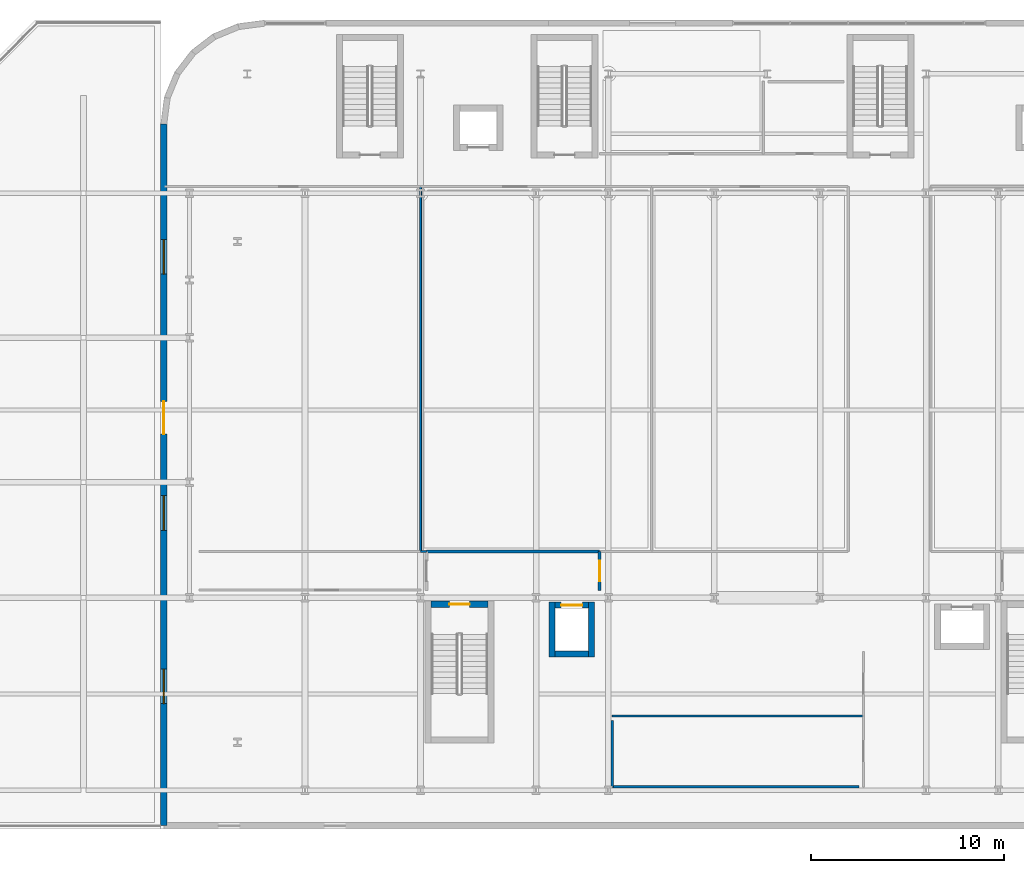
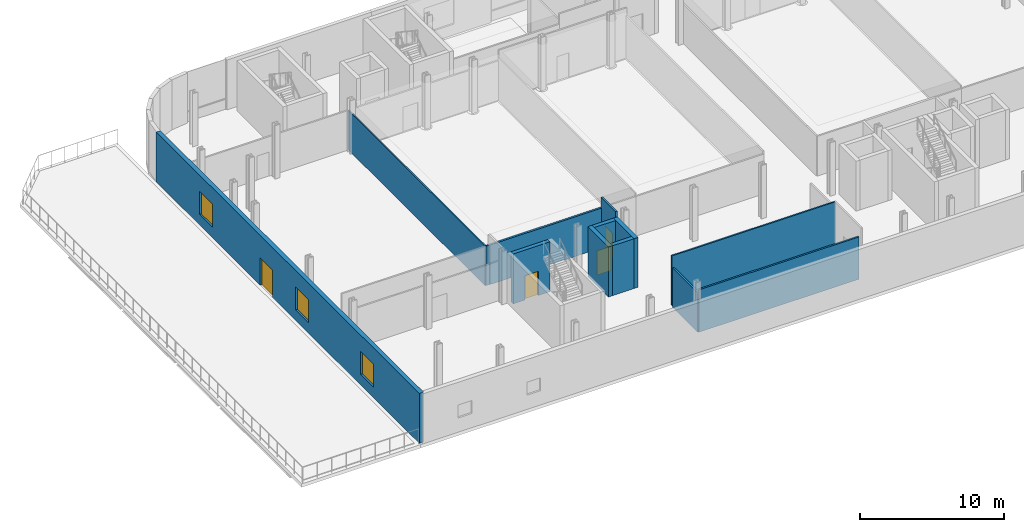
# One storey, part 15 of 26: 13 walls, 4 doors, 3 windows, 7 openings.
"""IFC4 building model written with IfcOpenShell, lengths in metres."""

from ifc_helpers import new_model, si_unit, direction, frame, frame_2d, origin, place, context, subcontext, project, spatial, rectangle, extrude, material, layer, layer_set, type_object, element, fill, save


model = new_model("IFC4")

# Units and contexts
model_context = context("Model", 3, precision=1e-05, world=origin(), true_north=direction((0.0, 1.0)))
body_context = subcontext(model_context, "Body", "Model", "MODEL_VIEW")
ifc_project = project(units=[si_unit("LENGTHUNIT", "METRE"), si_unit("AREAUNIT", "SQUARE_METRE"), si_unit("VOLUMEUNIT", "CUBIC_METRE"), si_unit("PLANEANGLEUNIT", "RADIAN"), si_unit("MASSUNIT", "GRAM", prefix="KILO")], contexts=[model_context])

# Site, building, storey
site_placement = place(None, origin())
site = spatial("IfcSite", under=ifc_project, at=site_placement, CompositionType="ELEMENT")
building_placement = place(site_placement, origin())
building = spatial("IfcBuilding", under=site, at=building_placement, Name="Brevholm Reach", CompositionType="ELEMENT")
storey_placement = place(building_placement, frame((0.0, 0.0, 18.0)))
storey = spatial("IfcBuildingStorey", under=building, at=storey_placement, Name="L04", CompositionType="ELEMENT", Elevation=18.0)

# Wall, opening, door
ifc_material_1 = material(Name="Concrete C60/75", Category="concrete")
ifc_layer_1 = layer(ifc_material_1, 0.320068359375)
ifc_layer_set_1 = layer_set([ifc_layer_1], Name="Concrete C60/75")
wall_type_1 = type_object("IfcWallType", Name="WAL-COR-320", PredefinedType="SHEAR", material=ifc_layer_set_1)
wall_1_placement = place(storey_placement, frame((15.5, 9.659912109375, 0.0), z_axis=(0.0, 0.0, 1.0), x_axis=(-1.0, 0.0, 0.0)))
wall_1 = element("IfcWall", 1, at=wall_1_placement, inside=storey, type_object=wall_type_1, Name="L04 Escape Stair ST-1 Core Wall N", PredefinedType="SHEAR", context=body_context, shape_type="SweptSolid", body=[
    extrude(rectangle(XDim=2.949951171875, YDim=0.320068359375, at=frame_2d((1.47509765625, 0.0))), origin(), (0.0, 0.0, 1.0), 4.219970703125),
])
opening_1_placement = place(wall_1_placement, frame((0.949951171875, 0.0, 0.0)))
opening_1 = element("IfcOpeningElement", 2, at=opening_1_placement, cuts=wall_1, Name="Opening SD-ST-1", PredefinedType="OPENING", context=body_context, shape_type="SweptSolid", body=[
    extrude(rectangle(XDim=1.050048828125, YDim=2.06005859375, at=frame_2d((0.52490234375, 1.030029296875))), frame((0.0, 0.169921875, 0.0), z_axis=(0.0, -1.0, 0.0), x_axis=(1.0, 0.0, 0.0)), (0.0, 0.0, 1.0), 0.340087890625),
])
ifc_material_2 = material(Name="Hardwood-Lipped Steel-Core Fire and Smoke Door", Category="steel")
door_type_1 = type_object("IfcDoorType", Name="DOR-INT-FD60S", OperationType="NOTDEFINED", PredefinedType="DOOR", material=ifc_material_2)
door_1_placement = place(opening_1_placement, origin())
door_1 = element("IfcDoor", 3, at=door_1_placement, inside=storey, type_object=door_type_1, Name="L04 Protected Stair ST-1 Lobby Door", OperationType="SINGLE_SWING_RIGHT", OverallHeight=2.06005859375, OverallWidth=1.050048828125, PredefinedType="DOOR", context=body_context, shape_type="SweptSolid", body=[
    extrude(rectangle(XDim=1.050048828125, YDim=2.06005859375, at=frame_2d((0.52490234375, 1.030029296875))), frame((0.0, 0.02490234375, 0.0), z_axis=(0.0, -1.0, 0.0), x_axis=(1.0, 0.0, 0.0)), (0.0, 0.0, 1.0), 0.050048828125),
])
fill(opening_1, door_1)

# Walls
for number, where, z_axis, x_axis, name in (
    (4, (18.830078125, 6.919921875, 0.0), (0.0, 0.0, 1.0), (0.0, 1.0, 0.0), "L04 Lift FFL-1 Shaft Wall W"),
    (5, (20.8701171875, 6.919921875, 0.0), (0.0, 0.0, 1.0), (0.0, 1.0, 0.0), "L04 Lift FFL-1 Shaft Wall E"),
):
    element("IfcWall", number, at=place(storey_placement, frame(where, z_axis=z_axis, x_axis=x_axis)), inside=storey, type_object=wall_type_1, Name=name, PredefinedType="SHEAR", context=body_context, shape_type="SweptSolid", body=[
        extrude(rectangle(XDim=2.860107421875, YDim=0.320068359375, at=frame_2d((1.43017578125, 0.0))), origin(), (0.0, 0.0, 1.0), 4.219970703125),
    ])
wall_2_placement = place(storey_placement, frame((18.989990234375, 7.080078125, 0.0), z_axis=(0.0, 0.0, 1.0), x_axis=(1.0, 0.0, 0.0)))
element("IfcWall", 6, at=wall_2_placement, inside=storey, type_object=wall_type_1, Name="L04 Lift FFL-1 Shaft Wall S", PredefinedType="SHEAR", context=body_context, shape_type="SweptSolid", body=[
    extrude(rectangle(XDim=1.719970703125, YDim=0.320068359375, at=frame_2d((0.85986328125, 0.0))), origin(), (0.0, 0.0, 1.0), 4.219970703125),
])

# Wall, opening, door
wall_3_placement = place(storey_placement, frame((18.989990234375, 9.6201171875, 0.0), z_axis=(0.0, 0.0, 1.0), x_axis=(1.0, 0.0, 0.0)))
wall_3 = element("IfcWall", 7, at=wall_3_placement, inside=storey, type_object=wall_type_1, Name="L04 Lift FFL-1 Shaft Wall N", PredefinedType="SHEAR", context=body_context, shape_type="SweptSolid", body=[
    extrude(rectangle(XDim=1.719970703125, YDim=0.320068359375, at=frame_2d((0.85986328125, 0.0))), origin(), (0.0, 0.0, 1.0), 4.219970703125),
])
opening_2_placement = place(wall_3_placement, frame((0.31005859375, 0.0, 0.0)))
opening_2 = element("IfcOpeningElement", 8, at=opening_2_placement, cuts=wall_3, Name="Opening LD-FFL-1", PredefinedType="OPENING", context=body_context, shape_type="SweptSolid", body=[
    extrude(rectangle(XDim=1.10009765625, YDim=2.06005859375, at=frame_2d((0.550048828125, 1.030029296875))), frame((0.0, 0.169921875, 0.0), z_axis=(0.0, -1.0, 0.0), x_axis=(1.0, 0.0, 0.0)), (0.0, 0.0, 1.0), 0.340087890625),
])
ifc_material_3 = material(Name="Brushed Stainless Steel Fire-Rated Sliding Lift Door", Category="steel")
door_type_2 = type_object("IfcDoorType", Name="DOR-LFT-1100", OperationType="NOTDEFINED", PredefinedType="DOOR", material=ifc_material_3)
door_2_placement = place(opening_2_placement, origin())
door_2 = element("IfcDoor", 9, at=door_2_placement, inside=storey, type_object=door_type_2, Name="L04 Lift FFL-1 Sliding Landing Door", OperationType="SLIDING_TO_RIGHT", OverallHeight=2.06005859375, OverallWidth=1.10009765625, PredefinedType="DOOR", context=body_context, shape_type="SweptSolid", body=[
    extrude(rectangle(XDim=1.10009765625, YDim=2.06005859375, at=frame_2d((0.550048828125, 1.030029296875))), frame((0.0, 0.02490234375, 0.0), z_axis=(0.0, -1.0, 0.0), x_axis=(1.0, 0.0, 0.0)), (0.0, 0.0, 1.0), 0.050048828125),
])
fill(opening_2, door_2)

# Wall, openings, door, windows
ifc_material_4 = material(Name="Concrete C40/50", Category="concrete")
ifc_layer_2 = layer(ifc_material_4, 0.340087890625)
ifc_layer_set_2 = layer_set([ifc_layer_2], Name="Concrete C40/50")
wall_type_2 = type_object("IfcWallType", Name="WAL-EXT-340", PredefinedType="STANDARD", material=ifc_layer_set_2)
wall_4_placement = place(storey_placement, frame((-1.330078125, 34.60009765625, 0.0), z_axis=(0.0, 0.0, 1.0), x_axis=(0.0, -1.0, 0.0)))
wall_4 = element("IfcWall", 10, at=wall_4_placement, inside=storey, type_object=wall_type_2, Name="L04 Facade Wall WAL-L04-W", PredefinedType="STANDARD", context=body_context, shape_type="SweptSolid", body=[
    extrude(rectangle(XDim=36.43017578125, YDim=0.340087890625, at=frame_2d((18.215087890625, 0.0))), origin(), (0.0, 0.0, 1.0), 4.219970703125),
])
opening_3_placement = place(wall_4_placement, frame((28.300048828125, 0.0, 0.89990234375)))
opening_3 = element("IfcOpeningElement", 11, at=opening_3_placement, cuts=wall_4, Name="Opening WN-01", PredefinedType="OPENING", context=body_context, shape_type="SweptSolid", body=[
    extrude(rectangle(XDim=1.800048828125, YDim=1.949951171875, at=frame_2d((0.89990234375, 0.97509765625))), frame((0.0, 0.179931640625, 0.0), z_axis=(0.0, -1.0, 0.0), x_axis=(1.0, 0.0, 0.0)), (0.0, 0.0, 1.0), 0.360107421875),
])
opening_4_placement = place(wall_4_placement, frame((19.300048828125, 0.0, 0.89990234375)))
opening_4 = element("IfcOpeningElement", 12, at=opening_4_placement, cuts=wall_4, Name="Opening WN-01", PredefinedType="OPENING", context=body_context, shape_type="SweptSolid", body=[
    extrude(rectangle(XDim=1.800048828125, YDim=1.949951171875, at=frame_2d((0.89990234375, 0.97509765625))), frame((0.0, 0.179931640625, 0.0), z_axis=(0.0, -1.0, 0.0), x_axis=(1.0, 0.0, 0.0)), (0.0, 0.0, 1.0), 0.360107421875),
])
opening_5_placement = place(wall_4_placement, frame((6.0, 0.0, 0.89990234375)))
opening_5 = element("IfcOpeningElement", 13, at=opening_5_placement, cuts=wall_4, Name="Opening WN-01", PredefinedType="OPENING", context=body_context, shape_type="SweptSolid", body=[
    extrude(rectangle(XDim=1.800048828125, YDim=1.949951171875, at=frame_2d((0.89990234375, 0.97509765625))), frame((0.0, 0.179931640625, 0.0), z_axis=(0.0, -1.0, 0.0), x_axis=(1.0, 0.0, 0.0)), (0.0, 0.0, 1.0), 0.360107421875),
])
opening_6_placement = place(wall_4_placement, frame((14.39990234375, 0.0, 0.0)))
opening_6 = element("IfcOpeningElement", 14, at=opening_6_placement, cuts=wall_4, Name="Opening ED-05", PredefinedType="OPENING", context=body_context, shape_type="SweptSolid", body=[
    extrude(rectangle(XDim=1.699951171875, YDim=2.300048828125, at=frame_2d((0.85009765625, 1.14990234375))), frame((0.0, 0.179931640625, 0.0), z_axis=(0.0, -1.0, 0.0), x_axis=(1.0, 0.0, 0.0)), (0.0, 0.0, 1.0), 0.360107421875),
])
ifc_material_5 = material(Name="Dark Anodised Aluminium and Toughened Safety Glass", Category="aluminium")
door_type_3 = type_object("IfcDoorType", Name="DOR-EXT-PLAY", OperationType="NOTDEFINED", PredefinedType="DOOR", material=ifc_material_5)
door_3_placement = place(opening_6_placement, origin())
door_3 = element("IfcDoor", 15, at=door_3_placement, inside=storey, type_object=door_type_3, Name="L04 Exterior Door DOR-L04-PLAY-W", OperationType="SINGLE_SWING_LEFT", OverallHeight=2.300048828125, OverallWidth=1.699951171875, PredefinedType="DOOR", context=body_context, shape_type="SweptSolid", body=[
    extrude(rectangle(XDim=1.699951171875, YDim=2.300048828125, at=frame_2d((0.85009765625, 1.14990234375))), frame((0.0, 0.02490234375, 0.0), z_axis=(0.0, -1.0, 0.0), x_axis=(1.0, 0.0, 0.0)), (0.0, 0.0, 1.0), 0.050048828125),
])
fill(opening_6, door_3)
ifc_material_6 = material(Name="Dark Anodised Aluminium and Solar-Control IGU Glass", Category="aluminium")
window_type = type_object("IfcWindowType", Name="WIN-SCH-1800", PartitioningType="SINGLE_PANEL", PredefinedType="WINDOW", material=ifc_material_6)
window_1_placement = place(opening_3_placement, origin())
window_1 = element("IfcWindow", 16, at=window_1_placement, inside=storey, type_object=window_type, Name="L04 Window WIN-L04-W-1", OverallHeight=1.949951171875, OverallWidth=1.800048828125, PartitioningType="SINGLE_PANEL", PredefinedType="WINDOW", context=body_context, shape_type="SweptSolid", body=[
    extrude(rectangle(XDim=1.800048828125, YDim=1.949951171875, at=frame_2d((0.89990234375, 0.97509765625))), frame((0.0, 0.030029296875, 0.0), z_axis=(0.0, -1.0, 0.0), x_axis=(1.0, 0.0, 0.0)), (0.0, 0.0, 1.0), 0.06005859375),
])
fill(opening_3, window_1)
window_2_placement = place(opening_4_placement, origin())
window_2 = element("IfcWindow", 17, at=window_2_placement, inside=storey, type_object=window_type, Name="L04 Window WIN-L04-W-2", OverallHeight=1.949951171875, OverallWidth=1.800048828125, PartitioningType="SINGLE_PANEL", PredefinedType="WINDOW", context=body_context, shape_type="SweptSolid", body=[
    extrude(rectangle(XDim=1.800048828125, YDim=1.949951171875, at=frame_2d((0.89990234375, 0.97509765625))), frame((0.0, 0.030029296875, 0.0), z_axis=(0.0, -1.0, 0.0), x_axis=(1.0, 0.0, 0.0)), (0.0, 0.0, 1.0), 0.06005859375),
])
fill(opening_4, window_2)
window_3_placement = place(opening_5_placement, origin())
window_3 = element("IfcWindow", 18, at=window_3_placement, inside=storey, type_object=window_type, Name="L04 Window WIN-L04-W-4", OverallHeight=1.949951171875, OverallWidth=1.800048828125, PartitioningType="SINGLE_PANEL", PredefinedType="WINDOW", context=body_context, shape_type="SweptSolid", body=[
    extrude(rectangle(XDim=1.800048828125, YDim=1.949951171875, at=frame_2d((0.89990234375, 0.97509765625))), frame((0.0, 0.030029296875, 0.0), z_axis=(0.0, -1.0, 0.0), x_axis=(1.0, 0.0, 0.0)), (0.0, 0.0, 1.0), 0.06005859375),
])
fill(opening_5, window_3)

# Walls
ifc_material_7 = material(Name="Moisture-Resistant Acoustic Gypsum Stud Partition 100 mm", Category="gypsum")
ifc_layer_3 = layer(ifc_material_7, 0.10009765625)
ifc_layer_set_3 = layer_set([ifc_layer_3], Name="Moisture-Resistant Acoustic Gypsum Stud Partition 100 mm")
wall_type_3 = type_object("IfcWallType", Name="WAL-PRT-100", PredefinedType="PARTITIONING", material=ifc_layer_set_3)
wall_5_placement = place(storey_placement, frame((12.0, 12.404052734375, 0.0), z_axis=(0.0, 0.0, 1.0), x_axis=(0.0, 1.0, 0.0)))
element("IfcWall", 19, at=wall_5_placement, inside=storey, type_object=wall_type_3, Name="L04 Internal Partition 036", PredefinedType="PARTITIONING", context=body_context, shape_type="SweptSolid", body=[
    extrude(rectangle(XDim=18.94189453125, YDim=0.10009765625, at=frame_2d((9.470947265625, 0.0))), origin(), (0.0, 0.0, 1.0), 3.343994140625),
])
ifc_material_8 = material(Name="Acoustic Fire-Rated Classroom Gypsum Partition 120 mm", Category="gypsum")
ifc_layer_4 = layer(ifc_material_8, 0.1201171875)
ifc_layer_set_4 = layer_set([ifc_layer_4], Name="Acoustic Fire-Rated Classroom Gypsum Partition 120 mm")
wall_type_4 = type_object("IfcWallType", Name="WAL-PRT-120", PredefinedType="PARTITIONING", material=ifc_layer_set_4)
wall_6_placement = place(storey_placement, frame((21.949951171875, 3.860107421875, 0.0), z_axis=(0.0, 0.0, 1.0), x_axis=(1.0, 0.0, 0.0)))
element("IfcWall", 20, at=wall_6_placement, inside=storey, type_object=wall_type_4, Name="L04 Internal Partition 003", PredefinedType="PARTITIONING", context=body_context, shape_type="SweptSolid", body=[
    extrude(rectangle(XDim=13.046142578125, YDim=0.1201171875, at=frame_2d((6.52294921875, 0.0))), origin(), (0.0, 0.0, 1.0), 4.219970703125),
])
wall_7_placement = place(storey_placement, frame((11.99267578125, 12.39990234375, 0.0), z_axis=(0.0, 0.0, 1.0), x_axis=(1.0, 0.0, 0.0)))
element("IfcWall", 21, at=wall_7_placement, inside=storey, type_object=wall_type_4, Name="L04 Internal Partition 023", PredefinedType="PARTITIONING", context=body_context, shape_type="SweptSolid", body=[
    extrude(rectangle(XDim=0.30322265625, YDim=0.1201171875, at=frame_2d((0.151611328125, 0.0))), origin(), (0.0, 0.0, 1.0), 3.343994140625),
])
ifc_material_9 = material(Name="Twin-Stud Acoustic Fire-Rated Gypsum Partition 140 mm", Category="gypsum")
ifc_layer_5 = layer(ifc_material_9, 0.139892578125)
ifc_layer_set_5 = layer_set([ifc_layer_5], Name="Twin-Stud Acoustic Fire-Rated Gypsum Partition 140 mm")
wall_type_5 = type_object("IfcWallType", Name="WAL-PRT-140", PredefinedType="PARTITIONING", material=ifc_layer_set_5)
wall_8_placement = place(storey_placement, frame((21.949951171875, 0.179931640625, 0.0), z_axis=(0.0, 0.0, 1.0), x_axis=(1.0, 0.0, 0.0)))
element("IfcWall", 22, at=wall_8_placement, inside=storey, type_object=wall_type_5, Name="L04 Internal Partition 041", PredefinedType="PARTITIONING", context=body_context, shape_type="SweptSolid", body=[
    extrude(rectangle(XDim=12.81005859375, YDim=0.139892578125, at=frame_2d((6.405029296875, 0.0))), origin(), (0.0, 0.0, 1.0), 3.582763671875),
])
wall_9_placement = place(storey_placement, frame((21.949951171875, 0.179931640625, 0.0), z_axis=(0.0, 0.0, 1.0), x_axis=(0.0, 1.0, 0.0)))
element("IfcWall", 23, at=wall_9_placement, inside=storey, type_object=wall_type_5, Name="L04 Internal Partition 042", PredefinedType="PARTITIONING", context=body_context, shape_type="SweptSolid", body=[
    extrude(rectangle(XDim=3.440185546875, YDim=0.139892578125, at=frame_2d((1.72021484375, 0.0))), origin(), (0.0, 0.0, 1.0), 3.343994140625),
])

# Wall, opening, door
ifc_material_10 = material(Name="Twin-Frame Fire-Rated Gypsum Board and Mineral Wool 160 mm", Category="gypsum")
ifc_layer_6 = layer(ifc_material_10, 0.159912109375)
ifc_layer_set_6 = layer_set([ifc_layer_6], Name="Twin-Frame Fire-Rated Gypsum Board and Mineral Wool 160 mm")
wall_type_6 = type_object("IfcWallType", Name="WAL-PRT-160", PredefinedType="PARTITIONING", material=ifc_layer_set_6)
wall_10_placement = place(storey_placement, frame((21.300048828125, 10.388671875, 0.0), z_axis=(0.0, 0.0, 1.0), x_axis=(0.0, 1.0, 0.0)))
wall_10 = element("IfcWall", 24, at=wall_10_placement, inside=storey, type_object=wall_type_6, Name="L04 Internal Partition 005", PredefinedType="PARTITIONING", context=body_context, shape_type="SweptSolid", body=[
    extrude(rectangle(XDim=2.01123046875, YDim=0.159912109375, at=frame_2d((1.005615234375, 0.0))), origin(), (0.0, 0.0, 1.0), 4.219970703125),
])
opening_7_placement = place(wall_10_placement, frame((0.480712890625, 0.0, 0.0)))
opening_7 = element("IfcOpeningElement", 25, at=opening_7_placement, cuts=wall_10, Name="Opening FD-01", PredefinedType="OPENING", context=body_context, shape_type="SweptSolid", body=[
    extrude(rectangle(XDim=1.050048828125, YDim=2.06005859375, at=frame_2d((0.52490234375, 1.030029296875))), frame((0.0, 0.08984375, 0.0), z_axis=(0.0, -1.0, 0.0), x_axis=(1.0, 0.0, 0.0)), (0.0, 0.0, 1.0), 0.179931640625),
])
door_4_placement = place(opening_7_placement, origin())
door_4 = element("IfcDoor", 26, at=door_4_placement, inside=storey, type_object=door_type_1, Name="L04 Internal Door 004", OperationType="SINGLE_SWING_RIGHT", OverallHeight=2.06005859375, OverallWidth=1.050048828125, PredefinedType="DOOR", context=body_context, shape_type="SweptSolid", body=[
    extrude(rectangle(XDim=1.050048828125, YDim=2.06005859375, at=frame_2d((0.52490234375, 1.030029296875))), frame((0.0, 0.02490234375, 0.0), z_axis=(0.0, -1.0, 0.0), x_axis=(1.0, 0.0, 0.0)), (0.0, 0.0, 1.0), 0.050048828125),
])
fill(opening_7, door_4)

# Wall
wall_11_placement = place(storey_placement, frame((12.300048828125, 12.39990234375, 0.0), z_axis=(0.0, 0.0, 1.0), x_axis=(1.0, 0.0, 0.0)))
element("IfcWall", 27, at=wall_11_placement, inside=storey, type_object=wall_type_6, Name="L04 Internal Partition 006", PredefinedType="PARTITIONING", context=body_context, shape_type="SweptSolid", body=[
    extrude(rectangle(XDim=9.0, YDim=0.159912109375, at=frame_2d((4.5, 0.0))), origin(), (0.0, 0.0, 1.0), 3.343994140625),
])

save(model, "model.ifc")
